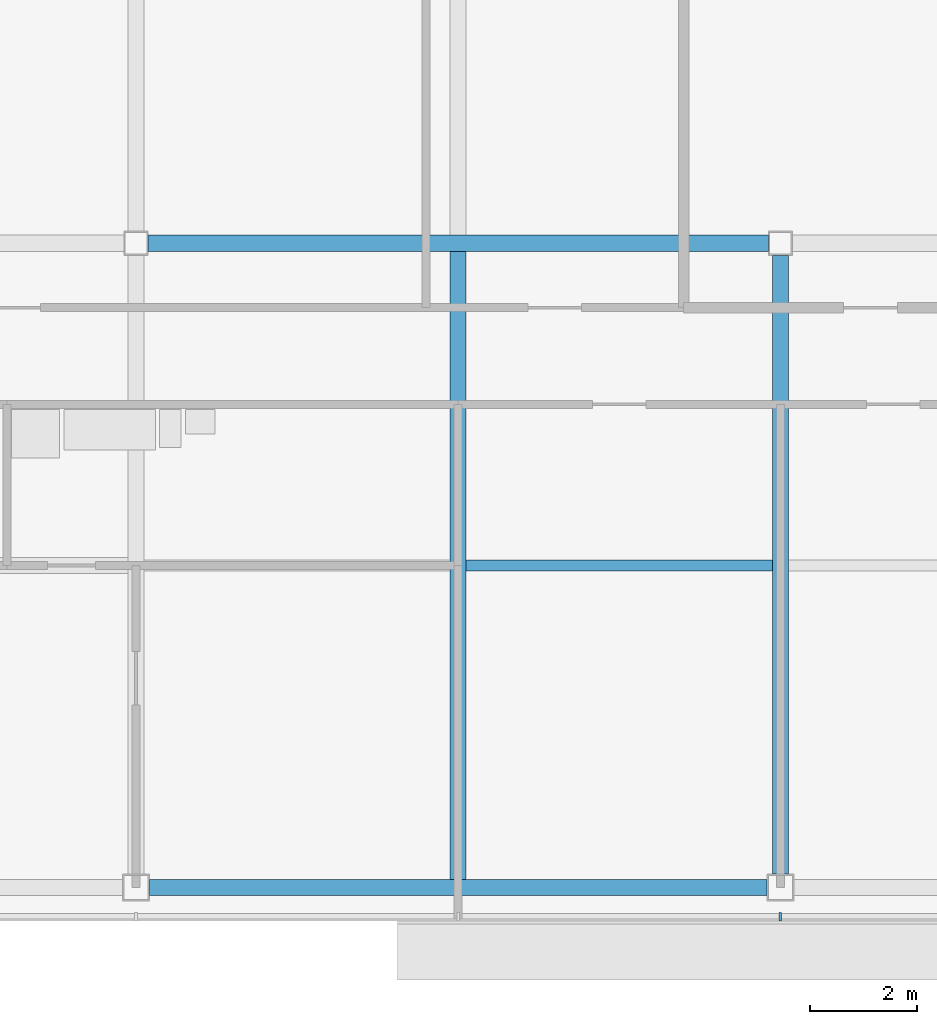
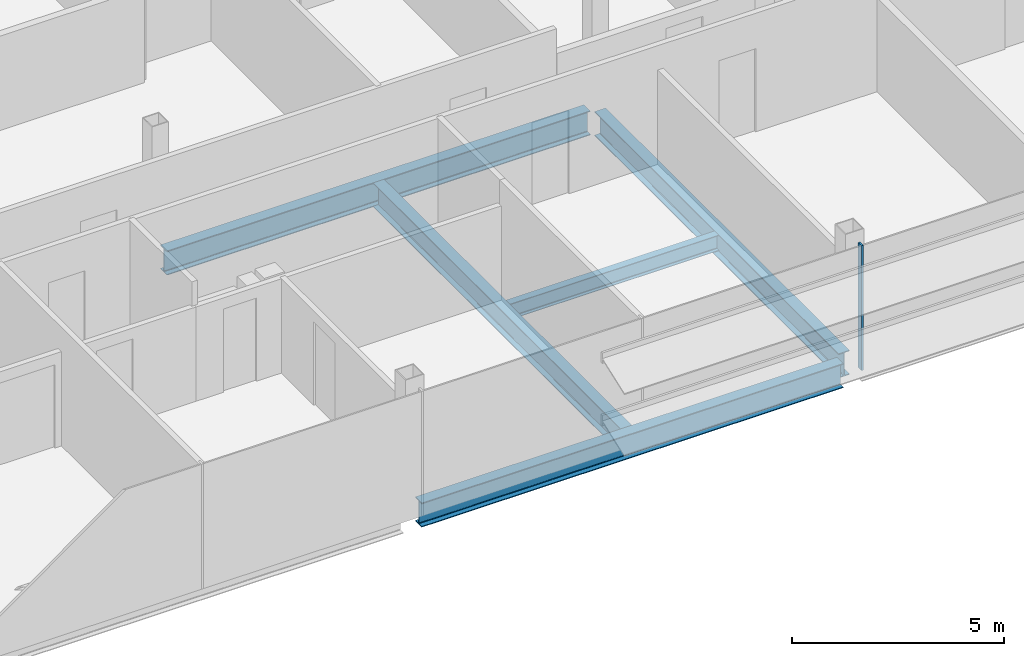
# One storey, part 5 of 27: 5 beams, 1 member, 1 element without a shape of its own.
"""IFC4 building model written with IfcOpenShell, lengths in metres."""

import ifcopenshell
import ifcopenshell.guid

model = None  # the IFC model being written
_history = None  # IfcOwnerHistory: only IFC2X3 demands one
_inside = {}  # id of a spatial element -> (the spatial element, [elements in it])
_under = {}  # id of a project, library or spatial element -> (it, [spatial elements below it])
_declared = {}  # id of a project -> (the project, [libraries it declares])
_typed = {}  # id of a type object -> (the type object, [elements of that type])
_made_of = {}  # id of a material, layer set ... -> (it, [elements and type objects made of it])


def new_model(schema):
    """Start an empty IFC model of exactly this schema.

    Asked for "IFC4X3", IfcOpenShell would pick the latest addendum, in which some entities
    have other attributes; the version numbers below select the first issue.
    IFC2X3 requires an IfcOwnerHistory on every rooted entity: one is made here for all.
    """
    global model, _history
    if schema == "IFC4X3":
        model = ifcopenshell.file(schema_version=(4, 3, 0, 0))
    else:
        model = ifcopenshell.file(schema=schema)
    _inside.clear()
    _under.clear()
    _declared.clear()
    _typed.clear()
    _made_of.clear()
    _history = None
    if model.schema == "IFC2X3":
        org = make("IfcOrganization", Name="unknown")
        user = make(
            "IfcPersonAndOrganization",
            ThePerson=make("IfcPerson", FamilyName="unknown"),
            TheOrganization=org,
        )
        app = make(
            "IfcApplication",
            ApplicationDeveloper=org,
            Version="unknown",
            ApplicationFullName="unknown",
            ApplicationIdentifier="unknown",
        )
        _history = make(
            "IfcOwnerHistory",
            OwningUser=user,
            OwningApplication=app,
            ChangeAction="ADDED",
            CreationDate=0,
        )
    return model


def make(cls, **values):
    """One entity of the class cls with the attributes given. An attribute that is None is left unset."""
    return model.create_entity(
        cls, **{name: value for name, value in values.items() if value is not None}
    )


def rooted(cls, **values):
    """An entity with a GlobalId (a new one), such as an element, a storey or a relation."""
    return make(cls, GlobalId=ifcopenshell.guid.new(), OwnerHistory=_history, **values)


def si_unit(unit_type, name, prefix=None):
    """IfcSIUnit, for example si_unit("LENGTHUNIT", "METRE", prefix="MILLI")."""
    return make("IfcSIUnit", UnitType=unit_type, Prefix=prefix, Name=name)


def assignment(units):
    """IfcUnitAssignment: the units of a project."""
    return None if units is None else make("IfcUnitAssignment", Units=units)


def point(xyz):
    """IfcCartesianPoint."""
    return None if xyz is None else make("IfcCartesianPoint", Coordinates=xyz)


def direction(xyz):
    """IfcDirection."""
    return None if xyz is None else make("IfcDirection", DirectionRatios=xyz)


def frame(location, z_axis=None, x_axis=None):
    """IfcAxis2Placement3D, a coordinate frame: its origin and axes. An axis left out is left unset."""
    return make(
        "IfcAxis2Placement3D",
        Location=point(location),
        Axis=direction(z_axis),
        RefDirection=direction(x_axis),
    )


def frame_2d(location, x_axis=None):
    """IfcAxis2Placement2D, a coordinate frame in the plane: its origin and x axis."""
    return make(
        "IfcAxis2Placement2D", Location=point(location), RefDirection=direction(x_axis)
    )


def origin():
    """The frame at (0, 0, 0) with its axes left unset."""
    return frame((0.0, 0.0, 0.0))


def origin_2d():
    """The frame at (0, 0) in the plane with its x axis left unset."""
    return frame_2d((0.0, 0.0))


def place(relative_to, where):
    """IfcLocalPlacement: puts the frame where relative to a parent placement (None: the world)."""
    return make(
        "IfcLocalPlacement", PlacementRelTo=relative_to, RelativePlacement=where
    )


def context(
    kind, dimensions, precision=None, world=None, true_north=None, identifier=None
):
    """IfcGeometricRepresentationContext, for example the 3D "Model" context."""
    return make(
        "IfcGeometricRepresentationContext",
        ContextIdentifier=identifier,
        ContextType=kind,
        CoordinateSpaceDimension=dimensions,
        Precision=precision,
        WorldCoordinateSystem=world,
        TrueNorth=true_north,
    )


def subcontext(parent, identifier, kind, view, scale=None):
    """IfcGeometricRepresentationSubContext, for example "Body" below "Model"."""
    return make(
        "IfcGeometricRepresentationSubContext",
        ContextIdentifier=identifier,
        ContextType=kind,
        ParentContext=parent,
        TargetScale=scale,
        TargetView=view,
    )


def project(units=None, contexts=None):
    """IfcProject with its units and contexts."""
    return rooted(
        "IfcProject",
        Name="project",
        RepresentationContexts=contexts,
        UnitsInContext=assignment(units),
    )


def spatial(cls, under=None, at=None, **own):
    """A site, building, storey or space (cls), placed at a placement, below another one or the project."""
    s = rooted(cls, ObjectPlacement=at, **own)
    if under is not None:
        _under.setdefault(under.id(), (under, []))[1].append(s)
    return s


def profile(cls, at=None, kind="AREA", **sizes):
    """A parametric profile (cls). Its sizes go by their IFC names, for example OverallWidth=200.0."""
    return make(cls, ProfileType=kind, Position=at, **sizes)


def rectangle(**sizes):
    """IfcRectangleProfileDef."""
    return profile("IfcRectangleProfileDef", **sizes)


def i_section(**sizes):
    """IfcIShapeProfileDef."""
    return profile("IfcIShapeProfileDef", **sizes)


def extrude(swept, where, along, depth):
    """IfcExtrudedAreaSolid: the profile swept, set in the frame where, extruded along a direction by depth."""
    return make(
        "IfcExtrudedAreaSolid",
        SweptArea=swept,
        Position=where,
        ExtrudedDirection=direction(along),
        Depth=depth,
    )


def shape(context_of_items, identifier, shape_type, items):
    """IfcShapeRepresentation: the items that make up one representation, for example the "Body"."""
    return make(
        "IfcShapeRepresentation",
        ContextOfItems=context_of_items,
        RepresentationIdentifier=identifier,
        RepresentationType=shape_type,
        Items=items,
    )


def material(Name=None, Category=None):
    """IfcMaterial."""
    return make("IfcMaterial", Name=Name, Category=Category)


def material_profile(
    of_material, cross_section, Name=None, Category=None, Priority=None
):
    """IfcMaterialProfile: a cross section and its material."""
    return make(
        "IfcMaterialProfile",
        Name=Name,
        Material=of_material,
        Profile=cross_section,
        Priority=Priority,
        Category=Category,
    )


def profile_set(profiles, Name=None, composite=None):
    """IfcMaterialProfileSet."""
    return make(
        "IfcMaterialProfileSet",
        Name=Name,
        MaterialProfiles=profiles,
        CompositeProfile=composite,
    )


def made_of(thing, what):
    """Note that an element or type object is made of a material, layer set ...; save() writes the relation."""
    if what is not None:
        _made_of.setdefault(what.id(), (what, []))[1].append(thing)
    return thing


def type_object(cls, material=None, **own):
    """A type object (cls), such as IfcWallType, which elements share."""
    return made_of(rooted(cls, **own), material)


def element(
    cls,
    number,
    at=None,
    inside=None,
    cuts=None,
    type_object=None,
    material=None,
    context=None,
    identifier="Body",
    shape_type=None,
    held_by="IfcProductDefinitionShape",
    body=None,
    shapes=None,
    **own,
):
    """One element of the class cls, such as IfcWall. Its Tag is "e" and its number.

    at: its placement. inside: the storey or other place that contains it. cuts: it is an
    opening in that element (IfcRelVoidsElement). A single representation is given by context,
    identifier, shape_type and body (its items); several are given by shapes. held_by: the class
    of the entity that holds the representations. save() writes the other relations.
    """
    e = rooted(cls, Tag="e%d" % number, ObjectPlacement=at, **own)
    if body is not None:
        shapes = [shape(context, identifier, shape_type, body)]
    if shapes is not None:
        e.Representation = make(held_by, Representations=shapes)
    if inside is not None:
        _inside.setdefault(inside.id(), (inside, []))[1].append(e)
    if cuts is not None:
        rooted(
            "IfcRelVoidsElement", RelatingBuildingElement=cuts, RelatedOpeningElement=e
        )
    if type_object is not None:
        _typed.setdefault(type_object.id(), (type_object, []))[1].append(e)
    return made_of(e, material)


def aggregate(whole, parts):
    """IfcRelAggregates: a whole, such as a stair, and the parts it consists of."""
    return rooted("IfcRelAggregates", RelatingObject=whole, RelatedObjects=parts)


def save(model, path):
    """Write the relations noted so far, then the file.

    IfcRelAggregates (storeys below a building ...), IfcRelContainedInSpatialStructure (elements
    in a storey), IfcRelDefinesByType, IfcRelAssociatesMaterial and IfcRelDeclares: one each for
    every whole, place, type object, material and project.
    """
    for whole, parts in _under.values():
        aggregate(whole, parts)
    for where, things in _inside.values():
        rooted(
            "IfcRelContainedInSpatialStructure",
            RelatedElements=things,
            RelatingStructure=where,
        )
    for kind, things in _typed.values():
        rooted("IfcRelDefinesByType", RelatedObjects=things, RelatingType=kind)
    for what, things in _made_of.values():
        rooted("IfcRelAssociatesMaterial", RelatedObjects=things, RelatingMaterial=what)
    for by, libraries in _declared.values():
        rooted("IfcRelDeclares", RelatingContext=by, RelatedDefinitions=libraries)
    model.write(path)


model = new_model("IFC4")

# Units and contexts
model_context = context("Model", 3, precision=1e-05, world=origin(), true_north=direction((0.0, 1.0)))
body_context = subcontext(model_context, "Body", "Model", "MODEL_VIEW")
ifc_project = project(units=[si_unit("LENGTHUNIT", "METRE"), si_unit("AREAUNIT", "SQUARE_METRE"), si_unit("VOLUMEUNIT", "CUBIC_METRE"), si_unit("PLANEANGLEUNIT", "RADIAN"), si_unit("MASSUNIT", "GRAM", prefix="KILO")], contexts=[model_context])

# Site, building, storey
site_placement = place(None, origin())
site = spatial("IfcSite", under=ifc_project, at=site_placement, CompositionType="ELEMENT")
building_placement = place(site_placement, origin())
building = spatial("IfcBuilding", under=site, at=building_placement, Name="Sorahane Residences", CompositionType="ELEMENT")
storey_placement = place(building_placement, frame((0.0, 0.0, 316.0)))
storey = spatial("IfcBuildingStorey", under=building, at=storey_placement, Name="L75", CompositionType="ELEMENT", Elevation=316.0)

# Curtain wall, member
ifc_material_1 = material(Name="Dark low-e glass and black anodised aluminium", Category="aluminium")
curtain_wall_type = type_object("IfcCurtainWallType", Name="Curtain wall CW-1 Typical unitised wall", PredefinedType="NOTDEFINED", material=ifc_material_1)
curtain_wall_placement = place(storey_placement, origin())
curtain_wall = element("IfcCurtainWall", 1, at=curtain_wall_placement, inside=storey, type_object=curtain_wall_type, Name="CW-1 curtain wall L75 S1", PredefinedType="NOTDEFINED")
ifc_material_2 = material(Name="Black anodised aluminium", Category="aluminium")
ifc_material_profile_1 = material_profile(ifc_material_2, rectangle(XDim=0.159912109375, YDim=0.050048828125, at=origin_2d()), Name="Curtain wall mullion CW-1 black anodised aluminium 50x160")
ifc_profile_set_1 = profile_set([ifc_material_profile_1], Name="Black anodised aluminium")
member_type = type_object("IfcMemberType", Name="Curtain wall mullion CW-1 black anodised aluminium 50x160", PredefinedType="MULLION", material=ifc_profile_set_1)
member_placement = place(storey_placement, frame((12.0, -0.5400390625, -0.179931640625), z_axis=(0.0, 0.0, 1.0), x_axis=(0.0, -1.0, 0.0)))
member = element("IfcMember", 2, at=member_placement, type_object=member_type, Name="CW-1 mullion L75 S1.5", PredefinedType="MULLION", context=body_context, shape_type="SweptSolid", body=[
    extrude(rectangle(XDim=0.159912109375, YDim=0.050048828125, at=origin_2d()), origin(), (0.0, 0.0, 1.0), 3.599853515625),
])
aggregate(curtain_wall, [member])

# Beams
ifc_material_3 = material(Name="Steel Q355B", Category="steel")
ifc_material_profile_2 = material_profile(ifc_material_3, i_section(OverallWidth=0.199951171875, OverallDepth=0.449951171875, WebThickness=0.009033203125, FlangeThickness=0.013916015625, FilletRadius=0.02001953125, at=origin_2d()), Name="HN 450x200x9x14")
ifc_profile_set_2 = profile_set([ifc_material_profile_2], Name="Steel Q355B")
beam_type_1 = type_object("IfcBeamType", Name="Steel floor beam HN 450x200x9x14 Q355B", PredefinedType="BEAM", material=ifc_profile_set_2)
beam_1_placement = place(storey_placement, frame((6.14990234375, 6.0, -0.405029296875), z_axis=(1.0, 0.0, 0.0), x_axis=(0.0, 1.0, 0.0)))
element("IfcBeam", 3, at=beam_1_placement, inside=storey, type_object=beam_type_1, Name="Beam L75 069", PredefinedType="BEAM", context=body_context, shape_type="SweptSolid", body=[
    extrude(i_section(OverallWidth=0.199951171875, OverallDepth=0.449951171875, WebThickness=0.009033203125, FlangeThickness=0.013916015625, FilletRadius=0.02001953125, at=origin_2d()), origin(), (0.0, 0.0, 1.0), 5.7001953125),
])
ifc_material_4 = material(Name="Steel Q355B", Category="steel")
ifc_material_profile_3 = material_profile(ifc_material_4, i_section(OverallWidth=0.300048828125, OverallDepth=0.699951171875, WebThickness=0.012939453125, FlangeThickness=0.02392578125, FilletRadius=0.028076171875, at=origin_2d()), Name="HN 700x300x13x24")
ifc_profile_set_3 = profile_set([ifc_material_profile_3], Name="Steel Q355B")
beam_type_2 = type_object("IfcBeamType", Name="Steel floor beam HN 700x300x13x24 Q355B", PredefinedType="BEAM", material=ifc_profile_set_3)
beam_2_placement = place(storey_placement, frame((0.25, 0.0, -0.530029296875), z_axis=(1.0, 0.0, 0.0), x_axis=(0.0, 1.0, 0.0)))
element("IfcBeam", 4, at=beam_2_placement, inside=storey, type_object=beam_type_2, Name="Beam L75 001", PredefinedType="BEAM", context=body_context, shape_type="SweptSolid", body=[
    extrude(i_section(OverallWidth=0.300048828125, OverallDepth=0.699951171875, WebThickness=0.012939453125, FlangeThickness=0.02392578125, FilletRadius=0.028076171875, at=origin_2d()), origin(), (0.0, 0.0, 1.0), 11.5),
])
beam_3_placement = place(storey_placement, frame((0.22509765625, 12.0, -0.530029296875), z_axis=(1.0, 0.0, 0.0), x_axis=(0.0, 1.0, 0.0)))
element("IfcBeam", 5, at=beam_3_placement, inside=storey, type_object=beam_type_2, Name="Beam L75 007", PredefinedType="BEAM", context=body_context, shape_type="SweptSolid", body=[
    extrude(i_section(OverallWidth=0.300048828125, OverallDepth=0.699951171875, WebThickness=0.012939453125, FlangeThickness=0.02392578125, FilletRadius=0.028076171875, at=origin_2d()), origin(), (0.0, 0.0, 1.0), 11.5498046875),
])
beam_4_placement = place(storey_placement, frame((6.0, 0.14990234375, -0.530029296875), z_axis=(0.0, 1.0, 0.0), x_axis=(-1.0, 0.0, 0.0)))
element("IfcBeam", 6, at=beam_4_placement, inside=storey, type_object=beam_type_2, Name="Beam L75 032", PredefinedType="BEAM", context=body_context, shape_type="SweptSolid", body=[
    extrude(i_section(OverallWidth=0.300048828125, OverallDepth=0.699951171875, WebThickness=0.012939453125, FlangeThickness=0.02392578125, FilletRadius=0.028076171875, at=origin_2d()), origin(), (0.0, 0.0, 1.0), 11.7001953125),
])
beam_5_placement = place(storey_placement, frame((12.0, 0.25, -0.530029296875), z_axis=(0.0, 1.0, 0.0), x_axis=(-1.0, 0.0, 0.0)))
element("IfcBeam", 7, at=beam_5_placement, inside=storey, type_object=beam_type_2, Name="Beam L75 038", PredefinedType="BEAM", context=body_context, shape_type="SweptSolid", body=[
    extrude(i_section(OverallWidth=0.300048828125, OverallDepth=0.699951171875, WebThickness=0.012939453125, FlangeThickness=0.02392578125, FilletRadius=0.028076171875, at=origin_2d()), origin(), (0.0, 0.0, 1.0), 11.52490234375),
])

save(model, "model.ifc")
